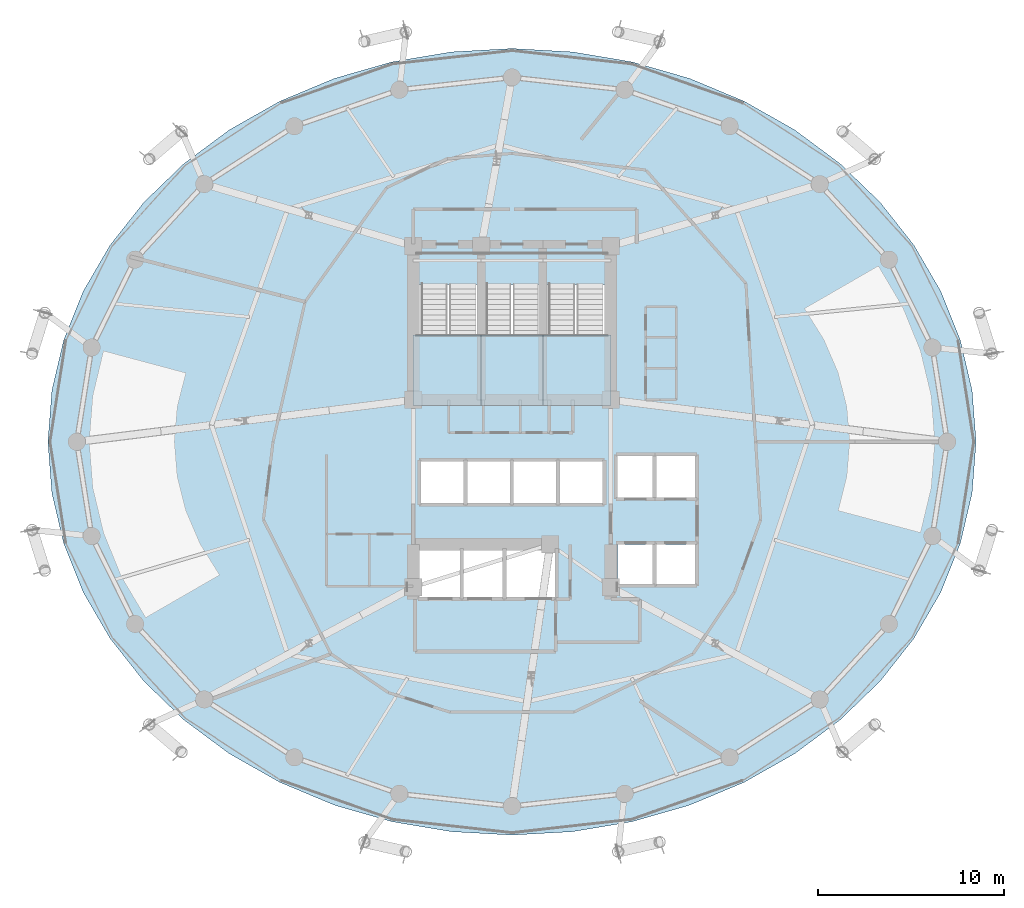
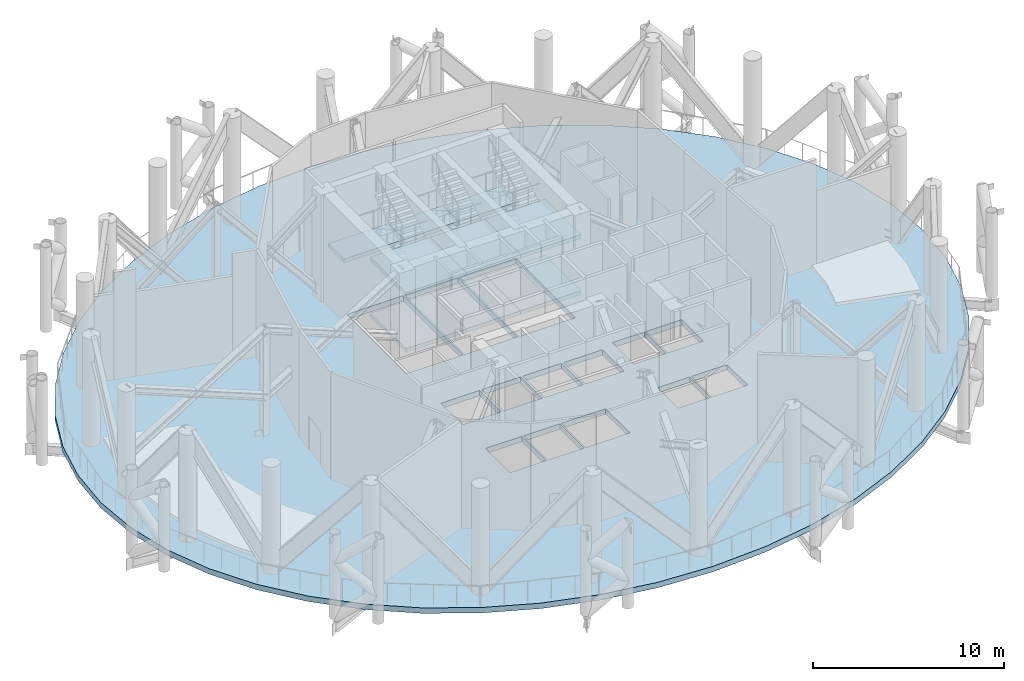
# One storey, part 6 of 18: 10 slabs, 3 elements without a shape of their own.
"""IFC4 building model written with IfcOpenShell, lengths in metres."""

import ifcopenshell
import ifcopenshell.guid

model = None  # the IFC model being written
_history = None  # IfcOwnerHistory: only IFC2X3 demands one
_inside = {}  # id of a spatial element -> (the spatial element, [elements in it])
_under = {}  # id of a project, library or spatial element -> (it, [spatial elements below it])
_declared = {}  # id of a project -> (the project, [libraries it declares])
_typed = {}  # id of a type object -> (the type object, [elements of that type])
_made_of = {}  # id of a material, layer set ... -> (it, [elements and type objects made of it])


def new_model(schema):
    """Start an empty IFC model of exactly this schema.

    Asked for "IFC4X3", IfcOpenShell would pick the latest addendum, in which some entities
    have other attributes; the version numbers below select the first issue.
    IFC2X3 requires an IfcOwnerHistory on every rooted entity: one is made here for all.
    """
    global model, _history
    if schema == "IFC4X3":
        model = ifcopenshell.file(schema_version=(4, 3, 0, 0))
    else:
        model = ifcopenshell.file(schema=schema)
    _inside.clear()
    _under.clear()
    _declared.clear()
    _typed.clear()
    _made_of.clear()
    _history = None
    if model.schema == "IFC2X3":
        org = make("IfcOrganization", Name="unknown")
        user = make(
            "IfcPersonAndOrganization",
            ThePerson=make("IfcPerson", FamilyName="unknown"),
            TheOrganization=org,
        )
        app = make(
            "IfcApplication",
            ApplicationDeveloper=org,
            Version="unknown",
            ApplicationFullName="unknown",
            ApplicationIdentifier="unknown",
        )
        _history = make(
            "IfcOwnerHistory",
            OwningUser=user,
            OwningApplication=app,
            ChangeAction="ADDED",
            CreationDate=0,
        )
    return model


def make(cls, **values):
    """One entity of the class cls with the attributes given. An attribute that is None is left unset."""
    return model.create_entity(
        cls, **{name: value for name, value in values.items() if value is not None}
    )


def rooted(cls, **values):
    """An entity with a GlobalId (a new one), such as an element, a storey or a relation."""
    return make(cls, GlobalId=ifcopenshell.guid.new(), OwnerHistory=_history, **values)


def si_unit(unit_type, name, prefix=None):
    """IfcSIUnit, for example si_unit("LENGTHUNIT", "METRE", prefix="MILLI")."""
    return make("IfcSIUnit", UnitType=unit_type, Prefix=prefix, Name=name)


def assignment(units):
    """IfcUnitAssignment: the units of a project."""
    return None if units is None else make("IfcUnitAssignment", Units=units)


def point(xyz):
    """IfcCartesianPoint."""
    return None if xyz is None else make("IfcCartesianPoint", Coordinates=xyz)


def direction(xyz):
    """IfcDirection."""
    return None if xyz is None else make("IfcDirection", DirectionRatios=xyz)


def frame(location, z_axis=None, x_axis=None):
    """IfcAxis2Placement3D, a coordinate frame: its origin and axes. An axis left out is left unset."""
    return make(
        "IfcAxis2Placement3D",
        Location=point(location),
        Axis=direction(z_axis),
        RefDirection=direction(x_axis),
    )


def origin():
    """The frame at (0, 0, 0) with its axes left unset."""
    return frame((0.0, 0.0, 0.0))


def place(relative_to, where):
    """IfcLocalPlacement: puts the frame where relative to a parent placement (None: the world)."""
    return make(
        "IfcLocalPlacement", PlacementRelTo=relative_to, RelativePlacement=where
    )


def context(
    kind, dimensions, precision=None, world=None, true_north=None, identifier=None
):
    """IfcGeometricRepresentationContext, for example the 3D "Model" context."""
    return make(
        "IfcGeometricRepresentationContext",
        ContextIdentifier=identifier,
        ContextType=kind,
        CoordinateSpaceDimension=dimensions,
        Precision=precision,
        WorldCoordinateSystem=world,
        TrueNorth=true_north,
    )


def subcontext(parent, identifier, kind, view, scale=None):
    """IfcGeometricRepresentationSubContext, for example "Body" below "Model"."""
    return make(
        "IfcGeometricRepresentationSubContext",
        ContextIdentifier=identifier,
        ContextType=kind,
        ParentContext=parent,
        TargetScale=scale,
        TargetView=view,
    )


def project(units=None, contexts=None):
    """IfcProject with its units and contexts."""
    return rooted(
        "IfcProject",
        Name="project",
        RepresentationContexts=contexts,
        UnitsInContext=assignment(units),
    )


def spatial(cls, under=None, at=None, **own):
    """A site, building, storey or space (cls), placed at a placement, below another one or the project."""
    s = rooted(cls, ObjectPlacement=at, **own)
    if under is not None:
        _under.setdefault(under.id(), (under, []))[1].append(s)
    return s


def polyline(points):
    """IfcPolyline through the points."""
    return make("IfcPolyline", Points=[point(p) for p in points])


def outline(outer, holes=None, kind="AREA"):
    """IfcArbitraryClosedProfileDef: a profile drawn as a closed curve; with holes, ...WithVoids."""
    if holes is None:
        return make("IfcArbitraryClosedProfileDef", ProfileType=kind, OuterCurve=outer)
    return make(
        "IfcArbitraryProfileDefWithVoids",
        ProfileType=kind,
        OuterCurve=outer,
        InnerCurves=holes,
    )


def extrude(swept, where, along, depth):
    """IfcExtrudedAreaSolid: the profile swept, set in the frame where, extruded along a direction by depth."""
    return make(
        "IfcExtrudedAreaSolid",
        SweptArea=swept,
        Position=where,
        ExtrudedDirection=direction(along),
        Depth=depth,
    )


def shape(context_of_items, identifier, shape_type, items):
    """IfcShapeRepresentation: the items that make up one representation, for example the "Body"."""
    return make(
        "IfcShapeRepresentation",
        ContextOfItems=context_of_items,
        RepresentationIdentifier=identifier,
        RepresentationType=shape_type,
        Items=items,
    )


def material(Name=None, Category=None):
    """IfcMaterial."""
    return make("IfcMaterial", Name=Name, Category=Category)


def layer(
    of_material, thickness, ventilated=None, Name=None, Category=None, Priority=None
):
    """IfcMaterialLayer: one layer of a wall or slab, of a material (None: an air gap)."""
    return make(
        "IfcMaterialLayer",
        Material=of_material,
        LayerThickness=thickness,
        IsVentilated=ventilated,
        Name=Name,
        Category=Category,
        Priority=Priority,
    )


def layer_set(layers, Name=None):
    """IfcMaterialLayerSet."""
    return make("IfcMaterialLayerSet", MaterialLayers=layers, LayerSetName=Name)


def made_of(thing, what):
    """Note that an element or type object is made of a material, layer set ...; save() writes the relation."""
    if what is not None:
        _made_of.setdefault(what.id(), (what, []))[1].append(thing)
    return thing


def type_object(cls, material=None, **own):
    """A type object (cls), such as IfcWallType, which elements share."""
    return made_of(rooted(cls, **own), material)


def element(
    cls,
    number,
    at=None,
    inside=None,
    cuts=None,
    type_object=None,
    material=None,
    context=None,
    identifier="Body",
    shape_type=None,
    held_by="IfcProductDefinitionShape",
    body=None,
    shapes=None,
    **own,
):
    """One element of the class cls, such as IfcWall. Its Tag is "e" and its number.

    at: its placement. inside: the storey or other place that contains it. cuts: it is an
    opening in that element (IfcRelVoidsElement). A single representation is given by context,
    identifier, shape_type and body (its items); several are given by shapes. held_by: the class
    of the entity that holds the representations. save() writes the other relations.
    """
    e = rooted(cls, Tag="e%d" % number, ObjectPlacement=at, **own)
    if body is not None:
        shapes = [shape(context, identifier, shape_type, body)]
    if shapes is not None:
        e.Representation = make(held_by, Representations=shapes)
    if inside is not None:
        _inside.setdefault(inside.id(), (inside, []))[1].append(e)
    if cuts is not None:
        rooted(
            "IfcRelVoidsElement", RelatingBuildingElement=cuts, RelatedOpeningElement=e
        )
    if type_object is not None:
        _typed.setdefault(type_object.id(), (type_object, []))[1].append(e)
    return made_of(e, material)


def aggregate(whole, parts):
    """IfcRelAggregates: a whole, such as a stair, and the parts it consists of."""
    return rooted("IfcRelAggregates", RelatingObject=whole, RelatedObjects=parts)


def save(model, path):
    """Write the relations noted so far, then the file.

    IfcRelAggregates (storeys below a building ...), IfcRelContainedInSpatialStructure (elements
    in a storey), IfcRelDefinesByType, IfcRelAssociatesMaterial and IfcRelDeclares: one each for
    every whole, place, type object, material and project.
    """
    for whole, parts in _under.values():
        aggregate(whole, parts)
    for where, things in _inside.values():
        rooted(
            "IfcRelContainedInSpatialStructure",
            RelatedElements=things,
            RelatingStructure=where,
        )
    for kind, things in _typed.values():
        rooted("IfcRelDefinesByType", RelatedObjects=things, RelatingType=kind)
    for what, things in _made_of.values():
        rooted("IfcRelAssociatesMaterial", RelatedObjects=things, RelatingMaterial=what)
    for by, libraries in _declared.values():
        rooted("IfcRelDeclares", RelatingContext=by, RelatedDefinitions=libraries)
    model.write(path)


model = new_model("IFC4")

# Units and contexts
model_context = context("Model", 3, precision=1e-05, world=origin(), true_north=direction((0.0, 1.0)))
body_context = subcontext(model_context, "Body", "Model", "MODEL_VIEW")
ifc_project = project(units=[si_unit("LENGTHUNIT", "METRE"), si_unit("AREAUNIT", "SQUARE_METRE"), si_unit("VOLUMEUNIT", "CUBIC_METRE"), si_unit("PLANEANGLEUNIT", "RADIAN"), si_unit("MASSUNIT", "GRAM", prefix="KILO")], contexts=[model_context])

# Site, building, storey
site_placement = place(None, origin())
site = spatial("IfcSite", under=ifc_project, at=site_placement, CompositionType="ELEMENT")
building_placement = place(site_placement, origin())
building = spatial("IfcBuilding", under=site, at=building_placement, Name="Nuhasar Tower", CompositionType="ELEMENT")
storey_placement = place(building_placement, frame((0.0, 0.0, 195.949951171875)))
storey = spatial("IfcBuildingStorey", under=building, at=storey_placement, Name="L48", CompositionType="ELEMENT", Elevation=195.949951171875)

# Slab
ifc_material_1 = material(Name="Concrete C60/75", Category="concrete")
ifc_layer_1 = layer(ifc_material_1, 0.35009765625)
ifc_layer_set_1 = layer_set([ifc_layer_1], Name="Concrete C60/75")
slab_type_1 = type_object("IfcSlabType", Name="SLB-OUT-350", PredefinedType="FLOOR", material=ifc_layer_set_1)
slab_1_placement = place(storey_placement, frame((0.0, 0.0, -0.349853515625)))
element("IfcSlab", 1, at=slab_1_placement, inside=storey, type_object=slab_type_1, Name="L48 Structural Slab", PredefinedType="FLOOR", context=body_context, shape_type="SweptSolid", body=[
    extrude(outline(polyline([(63.89990234375, 26.800048828125), (63.68701171875, 29.553955078125), (63.052001953125, 32.260986328125), (62.0048828125, 34.875), (60.56396484375, 37.35009765625), (58.75390625, 39.64501953125), (56.60693359375, 41.719970703125), (54.157958984375, 43.5400390625), (51.449951171875, 45.072998046875), (48.529052734375, 46.2939453125), (45.445068359375, 47.180908203125), (42.25, 47.718994140625), (39.0, 47.89990234375), (35.75, 47.718994140625), (32.554931640625, 47.180908203125), (29.470947265625, 46.2939453125), (26.550048828125, 45.072998046875), (23.842041015625, 43.5400390625), (21.39306640625, 41.719970703125), (19.24609375, 39.64501953125), (17.43603515625, 37.35009765625), (15.9951171875, 34.875), (14.947998046875, 32.260986328125), (14.31298828125, 29.553955078125), (14.10009765625, 26.800048828125), (14.31298828125, 24.0458984375), (14.947998046875, 21.339111328125), (15.9951171875, 18.72509765625), (17.43603515625, 16.25), (19.24609375, 13.955078125), (21.39306640625, 11.8798828125), (23.842041015625, 10.06005859375), (26.550048828125, 8.527099609375), (29.470947265625, 7.305908203125), (32.554931640625, 6.4189453125), (35.75, 5.881103515625), (39.0, 5.699951171875), (42.25, 5.881103515625), (45.445068359375, 6.4189453125), (48.529052734375, 7.305908203125), (51.449951171875, 8.527099609375), (54.157958984375, 10.06005859375), (56.60693359375, 11.8798828125), (58.75390625, 13.955078125), (60.56396484375, 16.25), (62.0048828125, 18.72509765625), (63.052001953125, 21.339111328125), (63.68701171875, 24.0458984375), (63.89990234375, 26.800048828125)]), holes=[polyline([(33.8798828125, 35.25), (37.300048828125, 35.25), (37.300048828125, 29.0), (33.8798828125, 29.0), (33.8798828125, 35.25)]), polyline([(37.39990234375, 35.25), (40.60009765625, 35.25), (40.60009765625, 29.0), (37.39990234375, 29.0), (37.39990234375, 35.25)]), polyline([(40.699951171875, 35.25), (44.1201171875, 35.25), (44.1201171875, 29.0), (40.699951171875, 29.0), (40.699951171875, 35.25)]), polyline([(44.64990234375, 26.050048828125), (46.60009765625, 26.050048828125), (46.60009765625, 23.800048828125), (44.64990234375, 23.800048828125), (44.64990234375, 26.050048828125)]), polyline([(46.699951171875, 26.050048828125), (48.85009765625, 26.050048828125), (48.85009765625, 23.800048828125), (46.699951171875, 23.800048828125), (46.699951171875, 26.050048828125)]), polyline([(44.64990234375, 21.300048828125), (46.60009765625, 21.300048828125), (46.60009765625, 19.14990234375), (44.64990234375, 19.14990234375), (44.64990234375, 21.300048828125)]), polyline([(46.699951171875, 21.300048828125), (48.85009765625, 21.300048828125), (48.85009765625, 19.14990234375), (46.699951171875, 19.14990234375), (46.699951171875, 21.300048828125)]), polyline([(34.10009765625, 25.75), (36.43994140625, 25.75), (36.43994140625, 23.5), (34.10009765625, 23.5), (34.10009765625, 25.75)]), polyline([(36.580078125, 25.75), (38.919921875, 25.75), (38.919921875, 23.5), (36.580078125, 23.5), (36.580078125, 25.75)]), polyline([(39.06005859375, 25.75), (41.39990234375, 25.75), (41.39990234375, 23.5), (39.06005859375, 23.5), (39.06005859375, 25.75)]), polyline([(41.5400390625, 25.75), (43.8798828125, 25.75), (43.8798828125, 23.5), (41.5400390625, 23.5), (41.5400390625, 25.75)]), polyline([(34.050048828125, 21.0), (36.25, 21.0), (36.25, 18.449951171875), (34.050048828125, 18.449951171875), (34.050048828125, 21.0)]), polyline([(36.35009765625, 21.0), (38.550048828125, 21.0), (38.550048828125, 18.449951171875), (36.35009765625, 18.449951171875), (36.35009765625, 21.0)]), polyline([(38.64990234375, 21.0), (41.320068359375, 21.0), (41.320068359375, 18.449951171875), (38.64990234375, 18.449951171875), (38.64990234375, 21.0)])]), origin(), (0.0, 0.0, 1.0), 0.349853515625),
])

# Stair, slabs
ifc_material_2 = material(Name="Concrete C45/55", Category="concrete")
stair_type_1 = type_object("IfcStairType", Name="STR-ST-01-4F-44R-1636", PredefinedType="HALF_TURN_STAIR", material=ifc_material_2)
stair_1_placement = place(storey_placement, origin())
stair_1 = element("IfcStair", 2, at=stair_1_placement, inside=storey, type_object=stair_type_1, Name="L48 Exit Stair ST-01", PredefinedType="HALF_TURN_STAIR")
ifc_layer_2 = layer(ifc_material_2, 0.239990234375)
ifc_layer_set_2 = layer_set([ifc_layer_2], Name="Concrete C45/55")
slab_type_2 = type_object("IfcSlabType", Name="SLB-STAIR-LND-240", PredefinedType="LANDING", material=ifc_layer_set_2)
slab_2_placement = place(storey_placement, frame((0.0, 0.0, 1.56005859375)))
slab_2 = element("IfcSlab", 3, at=slab_2_placement, type_object=slab_type_2, Name="ST-01 landing 1", PredefinedType="LANDING", context=body_context, shape_type="SweptSolid", body=[
    extrude(outline(polyline([(33.699951171875, 28.75), (37.35009765625, 28.75), (37.35009765625, 32.52001953125), (33.699951171875, 32.52001953125), (33.699951171875, 28.75)])), origin(), (0.0, 0.0, 1.0), 0.239990234375),
])
slab_3_placement = place(storey_placement, frame((0.0, 0.0, 3.360107421875)))
slab_3 = element("IfcSlab", 4, at=slab_3_placement, type_object=slab_type_2, Name="ST-01 landing 2", PredefinedType="LANDING", context=body_context, shape_type="SweptSolid", body=[
    extrude(outline(polyline([(33.699951171875, 35.239990234375), (37.35009765625, 35.239990234375), (37.35009765625, 36.909912109375), (33.699951171875, 36.909912109375), (33.699951171875, 35.239990234375)])), origin(), (0.0, 0.0, 1.0), 0.239990234375),
])
slab_4_placement = place(storey_placement, frame((0.0, 0.0, 5.16015625)))
slab_4 = element("IfcSlab", 5, at=slab_4_placement, type_object=slab_type_2, Name="ST-01 landing 3", PredefinedType="LANDING", context=body_context, shape_type="SweptSolid", body=[
    extrude(outline(polyline([(33.699951171875, 28.75), (37.35009765625, 28.75), (37.35009765625, 32.52001953125), (33.699951171875, 32.52001953125), (33.699951171875, 28.75)])), origin(), (0.0, 0.0, 1.0), 0.239990234375),
])
aggregate(stair_1, [slab_2, slab_3, slab_4])

stair_type_2 = type_object("IfcStairType", Name="STR-ST-03-4F-44R-1636", PredefinedType="HALF_TURN_STAIR", material=ifc_material_2)
stair_2_placement = place(storey_placement, origin())
stair_2 = element("IfcStair", 6, at=stair_2_placement, inside=storey, type_object=stair_type_2, Name="L48 Exit Stair ST-03", PredefinedType="HALF_TURN_STAIR")
slab_5_placement = place(storey_placement, frame((0.0, 0.0, 1.56005859375)))
slab_5 = element("IfcSlab", 7, at=slab_5_placement, type_object=slab_type_2, Name="ST-03 landing 1", PredefinedType="LANDING", context=body_context, shape_type="SweptSolid", body=[
    extrude(outline(polyline([(37.35009765625, 28.75), (40.64990234375, 28.75), (40.64990234375, 32.52001953125), (37.35009765625, 32.52001953125), (37.35009765625, 28.75)])), origin(), (0.0, 0.0, 1.0), 0.239990234375),
])
slab_6_placement = place(storey_placement, frame((0.0, 0.0, 3.360107421875)))
slab_6 = element("IfcSlab", 8, at=slab_6_placement, type_object=slab_type_2, Name="ST-03 landing 2", PredefinedType="LANDING", context=body_context, shape_type="SweptSolid", body=[
    extrude(outline(polyline([(37.35009765625, 35.239990234375), (40.64990234375, 35.239990234375), (40.64990234375, 36.909912109375), (37.35009765625, 36.909912109375), (37.35009765625, 35.239990234375)])), origin(), (0.0, 0.0, 1.0), 0.239990234375),
])
slab_7_placement = place(storey_placement, frame((0.0, 0.0, 5.16015625)))
slab_7 = element("IfcSlab", 9, at=slab_7_placement, type_object=slab_type_2, Name="ST-03 landing 3", PredefinedType="LANDING", context=body_context, shape_type="SweptSolid", body=[
    extrude(outline(polyline([(37.35009765625, 28.75), (40.64990234375, 28.75), (40.64990234375, 32.52001953125), (37.35009765625, 32.52001953125), (37.35009765625, 28.75)])), origin(), (0.0, 0.0, 1.0), 0.239990234375),
])
aggregate(stair_2, [slab_5, slab_6, slab_7])

stair_type_3 = type_object("IfcStairType", Name="STR-ST-02-4F-44R-1636", PredefinedType="HALF_TURN_STAIR", material=ifc_material_2)
stair_3_placement = place(storey_placement, origin())
stair_3 = element("IfcStair", 10, at=stair_3_placement, inside=storey, type_object=stair_type_3, Name="L48 Exit Stair ST-02", PredefinedType="HALF_TURN_STAIR")
slab_8_placement = place(storey_placement, frame((0.0, 0.0, 1.56005859375)))
slab_8 = element("IfcSlab", 11, at=slab_8_placement, type_object=slab_type_2, Name="ST-02 landing 1", PredefinedType="LANDING", context=body_context, shape_type="SweptSolid", body=[
    extrude(outline(polyline([(40.64990234375, 28.75), (44.300048828125, 28.75), (44.300048828125, 32.52001953125), (40.64990234375, 32.52001953125), (40.64990234375, 28.75)])), origin(), (0.0, 0.0, 1.0), 0.239990234375),
])
slab_9_placement = place(storey_placement, frame((0.0, 0.0, 3.360107421875)))
slab_9 = element("IfcSlab", 12, at=slab_9_placement, type_object=slab_type_2, Name="ST-02 landing 2", PredefinedType="LANDING", context=body_context, shape_type="SweptSolid", body=[
    extrude(outline(polyline([(40.64990234375, 35.239990234375), (44.300048828125, 35.239990234375), (44.300048828125, 36.909912109375), (40.64990234375, 36.909912109375), (40.64990234375, 35.239990234375)])), origin(), (0.0, 0.0, 1.0), 0.239990234375),
])
slab_10_placement = place(storey_placement, frame((0.0, 0.0, 5.16015625)))
slab_10 = element("IfcSlab", 13, at=slab_10_placement, type_object=slab_type_2, Name="ST-02 landing 3", PredefinedType="LANDING", context=body_context, shape_type="SweptSolid", body=[
    extrude(outline(polyline([(40.64990234375, 28.75), (44.300048828125, 28.75), (44.300048828125, 32.52001953125), (40.64990234375, 32.52001953125), (40.64990234375, 28.75)])), origin(), (0.0, 0.0, 1.0), 0.239990234375),
])
aggregate(stair_3, [slab_8, slab_9, slab_10])

save(model, "model.ifc")
